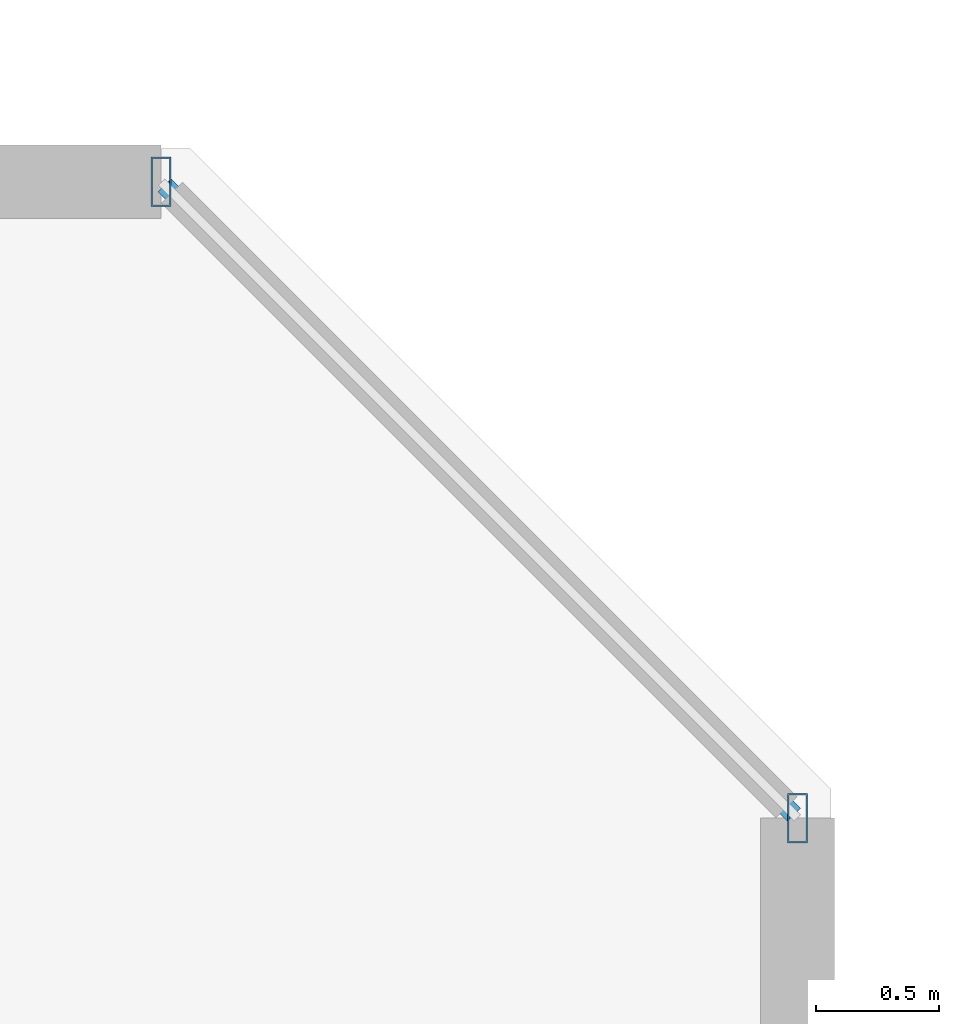
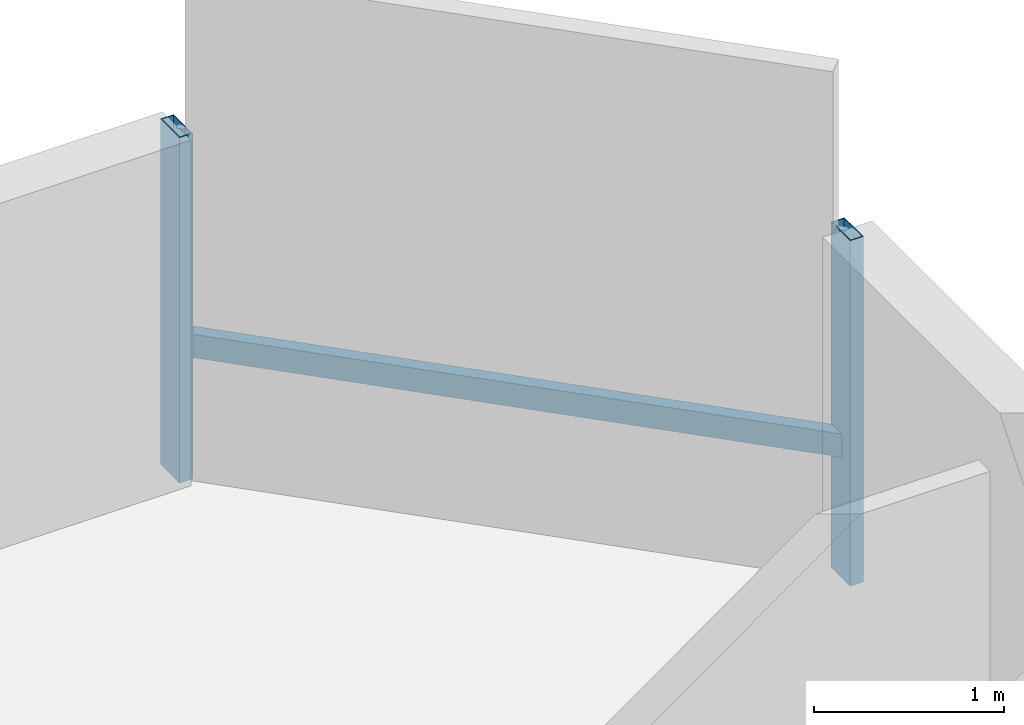
# One storey, part 10 of 36: 3 members, 1 element without a shape of its own.
"""IFC4 building model written with IfcOpenShell, lengths in metres."""

from ifc_helpers import new_model, si_unit, direction, frame, origin, origin_2d, place, context, subcontext, project, spatial, hollow_rectangle, extrude, material, material_profile, profile_set, type_object, element, aggregate, save


model = new_model("IFC4")

# Units and contexts
model_context = context("Model", 3, precision=1e-05, world=origin(), true_north=direction((0.0, 1.0)))
body_context = subcontext(model_context, "Body", "Model", "MODEL_VIEW")
ifc_project = project(units=[si_unit("LENGTHUNIT", "METRE"), si_unit("AREAUNIT", "SQUARE_METRE"), si_unit("VOLUMEUNIT", "CUBIC_METRE"), si_unit("PLANEANGLEUNIT", "RADIAN"), si_unit("MASSUNIT", "GRAM", prefix="KILO")], contexts=[model_context])

# Site, building, storey
site_placement = place(None, origin())
site = spatial("IfcSite", under=ifc_project, at=site_placement, CompositionType="ELEMENT")
building_placement = place(site_placement, origin())
building = spatial("IfcBuilding", under=site, at=building_placement, Name="Thornwick Lancets Civic Towers", CompositionType="ELEMENT")
storey_placement = place(building_placement, frame((0.0, 0.0, 170.699951171875)))
storey = spatial("IfcBuildingStorey", under=building, at=storey_placement, Name="L45", CompositionType="ELEMENT", Elevation=170.699951171875)

# Curtain wall, members
ifc_material_1 = material(Name="Mid-zone chamfered-corner unitised glass curtain wall", Category="glass")
curtain_wall_type = type_object("IfcCurtainWallType", Name="CW_SYS_04", PredefinedType="NOTDEFINED", material=ifc_material_1)
curtain_wall_placement = place(storey_placement, origin())
curtain_wall = element("IfcCurtainWall", 1, at=curtain_wall_placement, inside=storey, type_object=curtain_wall_type, Name="L45 Curtain Wall CW-L45-A-E3", PredefinedType="NOTDEFINED")
ifc_material_2 = material(Name="Thermally broken bronze aluminium S355", Category="steel")
ifc_material_profile_1 = material_profile(ifc_material_2, hollow_rectangle(XDim=0.080078125, YDim=0.199951171875, WallThickness=0.006103515625, at=origin_2d()), Name="RHS 200x80x6")
ifc_profile_set_1 = profile_set([ifc_material_profile_1], Name="Thermally broken bronze aluminium S355")
member_type_1 = type_object("IfcMemberType", Name="CW_MUL_200", PredefinedType="MULLION", material=ifc_profile_set_1)
member_1_placement = place(storey_placement, frame((49.2646484375, 42.181396484375, 0.0), z_axis=(0.0, 0.0, 1.0), x_axis=(1.0, 0.0, 0.0)))
member_1 = element("IfcMember", 2, at=member_1_placement, type_object=member_type_1, Name="CW-L45-A-E3 Mullion 0", PredefinedType="MULLION", context=body_context, shape_type="SweptSolid", body=[
    extrude(hollow_rectangle(XDim=0.080078125, YDim=0.199951171875, WallThickness=0.006103515625, at=origin_2d()), origin(), (0.0, 0.0, 1.0), 2.219970703125),
])
member_2_placement = place(storey_placement, frame((46.681396484375, 44.7646484375, 0.0), z_axis=(0.0, 0.0, 1.0), x_axis=(1.0, 0.0, 0.0)))
member_2 = element("IfcMember", 3, at=member_2_placement, type_object=member_type_1, Name="CW-L45-A-E3 Mullion 1", PredefinedType="MULLION", context=body_context, shape_type="SweptSolid", body=[
    extrude(hollow_rectangle(XDim=0.080078125, YDim=0.199951171875, WallThickness=0.006103515625, at=origin_2d()), origin(), (0.0, 0.0, 1.0), 2.219970703125),
])
ifc_material_profile_2 = material_profile(ifc_material_2, hollow_rectangle(XDim=0.074951171875, YDim=0.14990234375, WallThickness=0.0048828125, at=origin_2d()), Name="RHS 150x75x5")
ifc_profile_set_2 = profile_set([ifc_material_profile_2], Name="Thermally broken bronze aluminium S355")
member_type_2 = type_object("IfcMemberType", Name="CW_TRN_150", PredefinedType="USERDEFINED", material=ifc_profile_set_2)
member_3_placement = place(storey_placement, frame((49.25048828125, 42.195556640625, 0.85009765625), z_axis=(-0.707106781187, 0.707106781187, 0.0), x_axis=(-0.707106781187, -0.707106781187, 0.0)))
member_3 = element("IfcMember", 4, at=member_3_placement, type_object=member_type_2, Name="CW-L45-A-E3 Transom 0", ObjectType="TRANSOM", PredefinedType="USERDEFINED", context=body_context, shape_type="SweptSolid", body=[
    extrude(hollow_rectangle(XDim=0.074951171875, YDim=0.14990234375, WallThickness=0.0048828125, at=origin_2d()), origin(), (0.0, 0.0, 1.0), 3.61328125),
])
aggregate(curtain_wall, [member_1, member_2, member_3])

save(model, "model.ifc")
